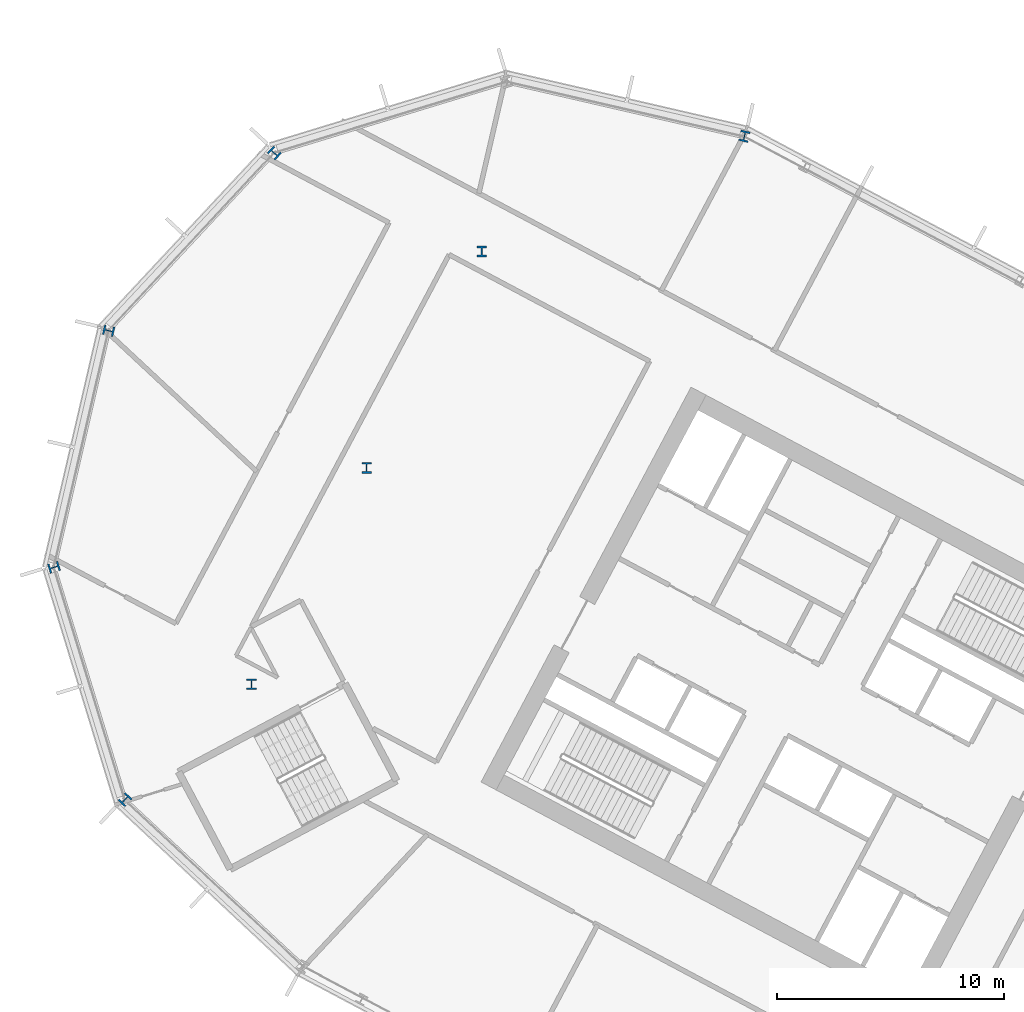
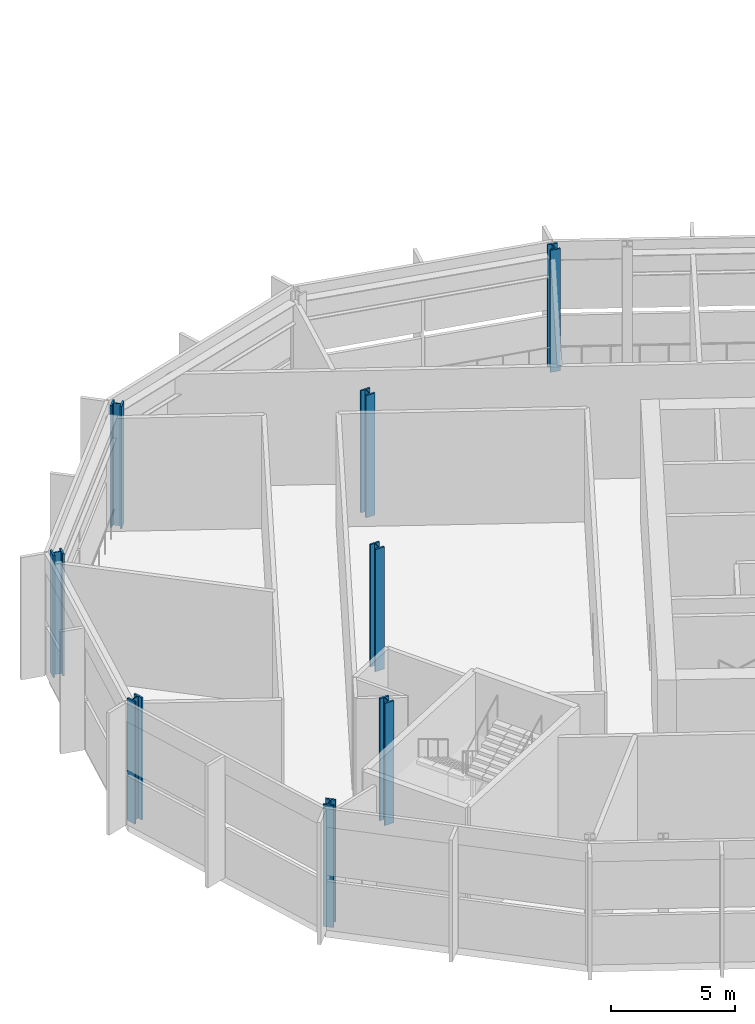
# One storey, part 3 of 33: 8 columns.
"""IFC4 building model written with IfcOpenShell, lengths in metres."""

import ifcopenshell
import ifcopenshell.guid

model = None  # the IFC model being written
_history = None  # IfcOwnerHistory: only IFC2X3 demands one
_inside = {}  # id of a spatial element -> (the spatial element, [elements in it])
_under = {}  # id of a project, library or spatial element -> (it, [spatial elements below it])
_declared = {}  # id of a project -> (the project, [libraries it declares])
_typed = {}  # id of a type object -> (the type object, [elements of that type])
_made_of = {}  # id of a material, layer set ... -> (it, [elements and type objects made of it])


def new_model(schema):
    """Start an empty IFC model of exactly this schema.

    Asked for "IFC4X3", IfcOpenShell would pick the latest addendum, in which some entities
    have other attributes; the version numbers below select the first issue.
    IFC2X3 requires an IfcOwnerHistory on every rooted entity: one is made here for all.
    """
    global model, _history
    if schema == "IFC4X3":
        model = ifcopenshell.file(schema_version=(4, 3, 0, 0))
    else:
        model = ifcopenshell.file(schema=schema)
    _inside.clear()
    _under.clear()
    _declared.clear()
    _typed.clear()
    _made_of.clear()
    _history = None
    if model.schema == "IFC2X3":
        org = make("IfcOrganization", Name="unknown")
        user = make(
            "IfcPersonAndOrganization",
            ThePerson=make("IfcPerson", FamilyName="unknown"),
            TheOrganization=org,
        )
        app = make(
            "IfcApplication",
            ApplicationDeveloper=org,
            Version="unknown",
            ApplicationFullName="unknown",
            ApplicationIdentifier="unknown",
        )
        _history = make(
            "IfcOwnerHistory",
            OwningUser=user,
            OwningApplication=app,
            ChangeAction="ADDED",
            CreationDate=0,
        )
    return model


def make(cls, **values):
    """One entity of the class cls with the attributes given. An attribute that is None is left unset."""
    return model.create_entity(
        cls, **{name: value for name, value in values.items() if value is not None}
    )


def rooted(cls, **values):
    """An entity with a GlobalId (a new one), such as an element, a storey or a relation."""
    return make(cls, GlobalId=ifcopenshell.guid.new(), OwnerHistory=_history, **values)


def si_unit(unit_type, name, prefix=None):
    """IfcSIUnit, for example si_unit("LENGTHUNIT", "METRE", prefix="MILLI")."""
    return make("IfcSIUnit", UnitType=unit_type, Prefix=prefix, Name=name)


def assignment(units):
    """IfcUnitAssignment: the units of a project."""
    return None if units is None else make("IfcUnitAssignment", Units=units)


def point(xyz):
    """IfcCartesianPoint."""
    return None if xyz is None else make("IfcCartesianPoint", Coordinates=xyz)


def direction(xyz):
    """IfcDirection."""
    return None if xyz is None else make("IfcDirection", DirectionRatios=xyz)


def frame(location, z_axis=None, x_axis=None):
    """IfcAxis2Placement3D, a coordinate frame: its origin and axes. An axis left out is left unset."""
    return make(
        "IfcAxis2Placement3D",
        Location=point(location),
        Axis=direction(z_axis),
        RefDirection=direction(x_axis),
    )


def frame_2d(location, x_axis=None):
    """IfcAxis2Placement2D, a coordinate frame in the plane: its origin and x axis."""
    return make(
        "IfcAxis2Placement2D", Location=point(location), RefDirection=direction(x_axis)
    )


def origin():
    """The frame at (0, 0, 0) with its axes left unset."""
    return frame((0.0, 0.0, 0.0))


def origin_2d():
    """The frame at (0, 0) in the plane with its x axis left unset."""
    return frame_2d((0.0, 0.0))


def place(relative_to, where):
    """IfcLocalPlacement: puts the frame where relative to a parent placement (None: the world)."""
    return make(
        "IfcLocalPlacement", PlacementRelTo=relative_to, RelativePlacement=where
    )


def context(
    kind, dimensions, precision=None, world=None, true_north=None, identifier=None
):
    """IfcGeometricRepresentationContext, for example the 3D "Model" context."""
    return make(
        "IfcGeometricRepresentationContext",
        ContextIdentifier=identifier,
        ContextType=kind,
        CoordinateSpaceDimension=dimensions,
        Precision=precision,
        WorldCoordinateSystem=world,
        TrueNorth=true_north,
    )


def subcontext(parent, identifier, kind, view, scale=None):
    """IfcGeometricRepresentationSubContext, for example "Body" below "Model"."""
    return make(
        "IfcGeometricRepresentationSubContext",
        ContextIdentifier=identifier,
        ContextType=kind,
        ParentContext=parent,
        TargetScale=scale,
        TargetView=view,
    )


def project(units=None, contexts=None):
    """IfcProject with its units and contexts."""
    return rooted(
        "IfcProject",
        Name="project",
        RepresentationContexts=contexts,
        UnitsInContext=assignment(units),
    )


def spatial(cls, under=None, at=None, **own):
    """A site, building, storey or space (cls), placed at a placement, below another one or the project."""
    s = rooted(cls, ObjectPlacement=at, **own)
    if under is not None:
        _under.setdefault(under.id(), (under, []))[1].append(s)
    return s


def profile(cls, at=None, kind="AREA", **sizes):
    """A parametric profile (cls). Its sizes go by their IFC names, for example OverallWidth=200.0."""
    return make(cls, ProfileType=kind, Position=at, **sizes)


def i_section(**sizes):
    """IfcIShapeProfileDef."""
    return profile("IfcIShapeProfileDef", **sizes)


def extrude(swept, where, along, depth):
    """IfcExtrudedAreaSolid: the profile swept, set in the frame where, extruded along a direction by depth."""
    return make(
        "IfcExtrudedAreaSolid",
        SweptArea=swept,
        Position=where,
        ExtrudedDirection=direction(along),
        Depth=depth,
    )


def shape(context_of_items, identifier, shape_type, items):
    """IfcShapeRepresentation: the items that make up one representation, for example the "Body"."""
    return make(
        "IfcShapeRepresentation",
        ContextOfItems=context_of_items,
        RepresentationIdentifier=identifier,
        RepresentationType=shape_type,
        Items=items,
    )


def material(Name=None, Category=None):
    """IfcMaterial."""
    return make("IfcMaterial", Name=Name, Category=Category)


def material_profile(
    of_material, cross_section, Name=None, Category=None, Priority=None
):
    """IfcMaterialProfile: a cross section and its material."""
    return make(
        "IfcMaterialProfile",
        Name=Name,
        Material=of_material,
        Profile=cross_section,
        Priority=Priority,
        Category=Category,
    )


def profile_set(profiles, Name=None, composite=None):
    """IfcMaterialProfileSet."""
    return make(
        "IfcMaterialProfileSet",
        Name=Name,
        MaterialProfiles=profiles,
        CompositeProfile=composite,
    )


def made_of(thing, what):
    """Note that an element or type object is made of a material, layer set ...; save() writes the relation."""
    if what is not None:
        _made_of.setdefault(what.id(), (what, []))[1].append(thing)
    return thing


def type_object(cls, material=None, **own):
    """A type object (cls), such as IfcWallType, which elements share."""
    return made_of(rooted(cls, **own), material)


def element(
    cls,
    number,
    at=None,
    inside=None,
    cuts=None,
    type_object=None,
    material=None,
    context=None,
    identifier="Body",
    shape_type=None,
    held_by="IfcProductDefinitionShape",
    body=None,
    shapes=None,
    **own,
):
    """One element of the class cls, such as IfcWall. Its Tag is "e" and its number.

    at: its placement. inside: the storey or other place that contains it. cuts: it is an
    opening in that element (IfcRelVoidsElement). A single representation is given by context,
    identifier, shape_type and body (its items); several are given by shapes. held_by: the class
    of the entity that holds the representations. save() writes the other relations.
    """
    e = rooted(cls, Tag="e%d" % number, ObjectPlacement=at, **own)
    if body is not None:
        shapes = [shape(context, identifier, shape_type, body)]
    if shapes is not None:
        e.Representation = make(held_by, Representations=shapes)
    if inside is not None:
        _inside.setdefault(inside.id(), (inside, []))[1].append(e)
    if cuts is not None:
        rooted(
            "IfcRelVoidsElement", RelatingBuildingElement=cuts, RelatedOpeningElement=e
        )
    if type_object is not None:
        _typed.setdefault(type_object.id(), (type_object, []))[1].append(e)
    return made_of(e, material)


def aggregate(whole, parts):
    """IfcRelAggregates: a whole, such as a stair, and the parts it consists of."""
    return rooted("IfcRelAggregates", RelatingObject=whole, RelatedObjects=parts)


def save(model, path):
    """Write the relations noted so far, then the file.

    IfcRelAggregates (storeys below a building ...), IfcRelContainedInSpatialStructure (elements
    in a storey), IfcRelDefinesByType, IfcRelAssociatesMaterial and IfcRelDeclares: one each for
    every whole, place, type object, material and project.
    """
    for whole, parts in _under.values():
        aggregate(whole, parts)
    for where, things in _inside.values():
        rooted(
            "IfcRelContainedInSpatialStructure",
            RelatedElements=things,
            RelatingStructure=where,
        )
    for kind, things in _typed.values():
        rooted("IfcRelDefinesByType", RelatedObjects=things, RelatingType=kind)
    for what, things in _made_of.values():
        rooted("IfcRelAssociatesMaterial", RelatedObjects=things, RelatingMaterial=what)
    for by, libraries in _declared.values():
        rooted("IfcRelDeclares", RelatingContext=by, RelatedDefinitions=libraries)
    model.write(path)


model = new_model("IFC4")

# Units and contexts
model_context = context("Model", 3, precision=1e-05, world=origin(), true_north=direction((0.0, 1.0)))
body_context = subcontext(model_context, "Body", "Model", "MODEL_VIEW")
ifc_project = project(units=[si_unit("LENGTHUNIT", "METRE"), si_unit("AREAUNIT", "SQUARE_METRE"), si_unit("VOLUMEUNIT", "CUBIC_METRE"), si_unit("PLANEANGLEUNIT", "RADIAN"), si_unit("MASSUNIT", "GRAM", prefix="KILO")], contexts=[model_context])

# Site, building, storey
site_placement = place(None, origin())
site = spatial("IfcSite", under=ifc_project, at=site_placement, CompositionType="ELEMENT")
building_placement = place(site_placement, origin())
building = spatial("IfcBuilding", under=site, at=building_placement, Name="Cormorant Relay Tower", CompositionType="ELEMENT")
storey_placement = place(building_placement, frame((0.0, 0.0, 183.60009765625)))
storey = spatial("IfcBuildingStorey", under=building, at=storey_placement, Name="L39", CompositionType="ELEMENT", Elevation=183.60009765625)

# Columns
ifc_material = material(Name="Steel ASTM A992 (Fy 345 MPa)", Category="steel")
ifc_material_profile = material_profile(ifc_material, i_section(OverallWidth=0.42431640625, OverallDepth=0.47509765625, WebThickness=0.0478515625, FlangeThickness=0.0771484375, FilletRadius=0.014892578125, at=origin_2d()), Name="W360x634")
ifc_profile_set = profile_set([ifc_material_profile], Name="Steel ASTM A992 (Fy 345 MPa)")
column_type = type_object("IfcColumnType", Name="Column W360x634", PredefinedType="COLUMN", material=ifc_profile_set)
for number, where, z_axis, x_axis, name in (
    (1, (-57.261962890625, 10.173095703125, 0.0), (0.0, 0.0, 1.0), (0.731353701619, -0.681998360062, 0.0), "Column L39-022"),
    (2, (-51.68994140625, 15.251953125, 0.0), (0.0, 0.0, 1.0), (1.0, 0.0, 0.0), "Column L39-028"),
    (3, (-60.389892578125, 20.405029296875, 0.0), (0.0, 0.0, 1.0), (0.292371704723, -0.956304755963, 0.0), "Column L39-030"),
    (4, (-46.6201171875, 24.7880859375, 0.0), (0.0, 0.0, 1.0), (1.0, 0.0, 0.0), "Column L39-033"),
    (5, (-57.98291015625, 30.830078125, 0.0), (0.0, 0.0, 1.0), (-0.224951054344, -0.974370064785, 0.0), "Column L39-037"),
    (6, (-41.549072265625, 34.323974609375, 0.0), (0.0, 0.0, 1.0), (1.0, 0.0, 0.0), "Column L39-041"),
    (7, (-50.68603515625, 38.655029296875, 0.0), (0.0, 0.0, 1.0), (-0.681998360062, -0.731353701619, 0.0), "Column L39-045"),
    (8, (-29.97509765625, 39.39599609375, 0.0), (0.0, 0.0, 1.0), (-0.974370064785, 0.224951054344, 0.0), "Column L39-046"),
):
    element("IfcColumn", number, at=place(storey_placement, frame(where, z_axis=z_axis, x_axis=x_axis)), inside=storey, type_object=column_type, Name=name, PredefinedType="COLUMN", context=body_context, shape_type="SweptSolid", body=[
        extrude(i_section(OverallWidth=0.42431640625, OverallDepth=0.47509765625, WebThickness=0.0478515625, FlangeThickness=0.0771484375, FilletRadius=0.014892578125, at=origin_2d()), origin(), (0.0, 0.0, 1.0), 6.0),
    ])

save(model, "model.ifc")
